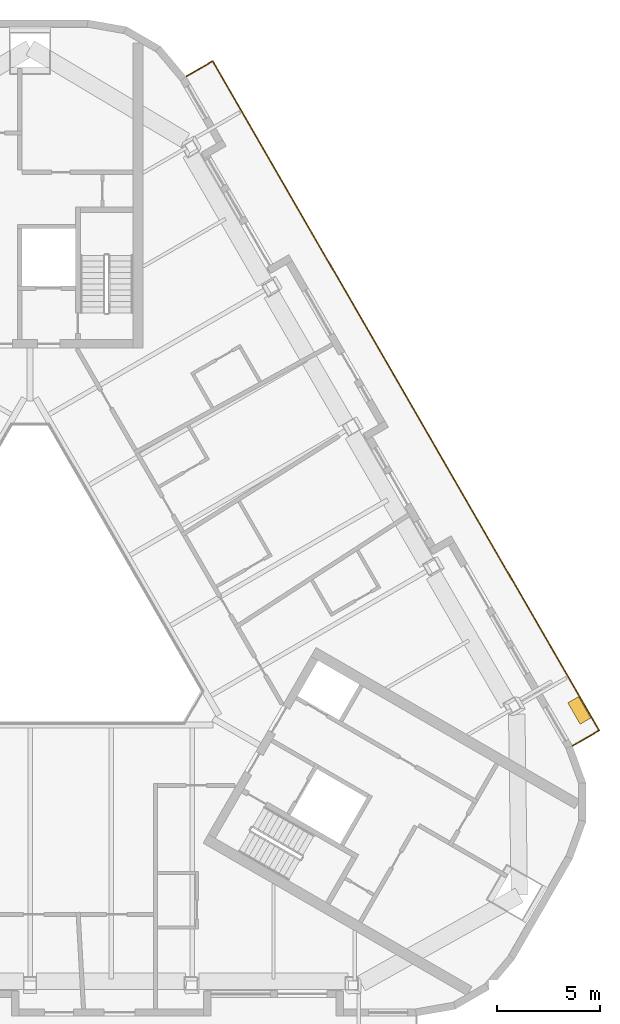
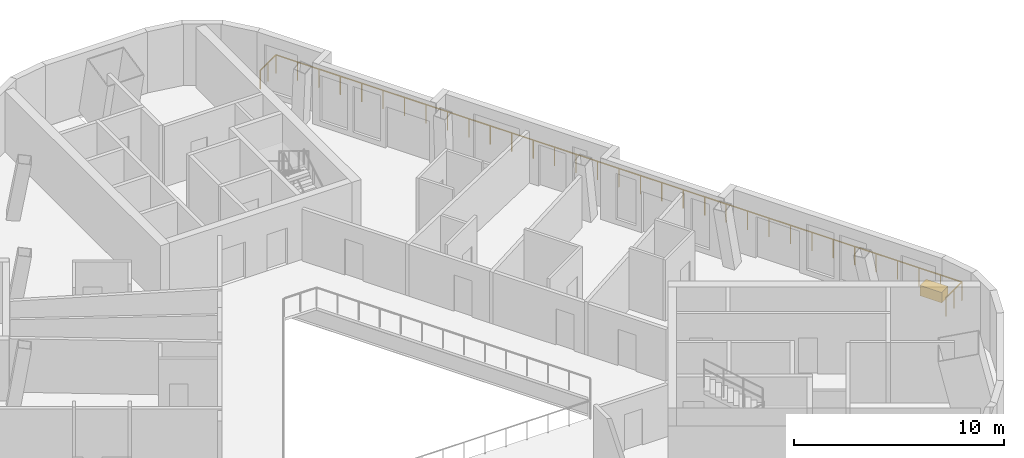
# One storey, part 13 of 14: 1 covering, 1 railing.
"""IFC4 building model written with IfcOpenShell, lengths in metres."""

from ifc_helpers import new_model, si_unit, direction, frame, origin, origin_2d, place, context, subcontext, project, spatial, rectangle, extrude, material, type_object, element, save


model = new_model("IFC4")

# Units and contexts
model_context = context("Model", 3, precision=1e-05, world=origin(), true_north=direction((0.0, 1.0)))
body_context = subcontext(model_context, "Body", "Model", "MODEL_VIEW")
ifc_project = project(units=[si_unit("LENGTHUNIT", "METRE"), si_unit("AREAUNIT", "SQUARE_METRE"), si_unit("VOLUMEUNIT", "CUBIC_METRE"), si_unit("PLANEANGLEUNIT", "RADIAN"), si_unit("MASSUNIT", "GRAM", prefix="KILO")], contexts=[model_context])

# Site, building, storey
site_placement = place(None, origin())
site = spatial("IfcSite", under=ifc_project, at=site_placement, CompositionType="ELEMENT")
building_placement = place(site_placement, origin())
building = spatial("IfcBuilding", under=site, at=building_placement, Name="Apuvela Tower Hotel", CompositionType="ELEMENT")
storey_placement = place(building_placement, frame((0.0, 0.0, 254.10009765625)))
storey = spatial("IfcBuildingStorey", under=building, at=storey_placement, Name="L62", CompositionType="ELEMENT", Elevation=254.10009765625)

# Railing
ifc_material_1 = material(Name="Stainless steel 316 rail with laminated glass infill", Category="steel")
railing_type = type_object("IfcRailingType", Name="ENV-GUARD-1100", PredefinedType="GUARDRAIL", material=ifc_material_1)
railing_placement = place(storey_placement, frame((26.407958984375, -6.47998046875, 0.0)))
element("IfcRailing", 1, at=railing_placement, inside=storey, type_object=railing_type, Name="Balcony guard NE L62", PredefinedType="GUARDRAIL", context=body_context, shape_type="SweptSolid", body=[
    extrude(rectangle(XDim=0.050048828125, YDim=0.050048828125, at=origin_2d()), frame((0.0, 0.0, 1.0751953125), z_axis=(0.866031096941, 0.499990139034, 0.0), x_axis=(-0.499990139034, 0.866031096941, 0.0)), (0.0, 0.0, 1.0), 1.5),
    extrude(rectangle(XDim=0.050048828125, YDim=0.050048828125, at=origin_2d()), frame((1.299072265625, 0.75, 1.0751953125), z_axis=(-0.500000437506, 0.86602515119, 0.0), x_axis=(-0.86602515119, -0.500000437506, 0.0)), (0.0, 0.0, 1.0), 37.6318359375),
    extrude(rectangle(XDim=0.050048828125, YDim=0.050048828125, at=origin_2d()), frame((-17.516845703125, 33.340087890625, 1.0751953125), z_axis=(-0.86599040064, -0.500060622324, 0.0), x_axis=(0.500060622324, -0.86599040064, 0.0)), (0.0, 0.0, 1.0), 1.499755859375),
    extrude(rectangle(XDim=0.0400390625, YDim=0.0400390625, at=origin_2d()), origin(), (0.0, 0.0, 1.0), 1.050048828125),
    extrude(rectangle(XDim=0.0400390625, YDim=0.0400390625, at=origin_2d()), frame((0.6494140625, 0.375, 0.0)), (0.0, 0.0, 1.0), 1.050048828125),
    extrude(rectangle(XDim=0.0400390625, YDim=0.0400390625, at=origin_2d()), frame((1.299072265625, 0.75, 0.0)), (0.0, 0.0, 1.0), 1.050048828125),
    extrude(rectangle(XDim=0.0400390625, YDim=0.0400390625, at=origin_2d()), frame((0.711181640625, 1.7685546875, 0.0)), (0.0, 0.0, 1.0), 1.050048828125),
    extrude(rectangle(XDim=0.0400390625, YDim=0.0400390625, at=origin_2d()), frame((0.123046875, 2.786865234375, 0.0)), (0.0, 0.0, 1.0), 1.050048828125),
    extrude(rectangle(XDim=0.0400390625, YDim=0.0400390625, at=origin_2d()), frame((-0.46484375, 3.805419921875, 0.0)), (0.0, 0.0, 1.0), 1.050048828125),
    extrude(rectangle(XDim=0.0400390625, YDim=0.0400390625, at=origin_2d()), frame((-1.052978515625, 4.82373046875, 0.0)), (0.0, 0.0, 1.0), 1.050048828125),
    extrude(rectangle(XDim=0.0400390625, YDim=0.0400390625, at=origin_2d()), frame((-1.640869140625, 5.84228515625, 0.0)), (0.0, 0.0, 1.0), 1.050048828125),
    extrude(rectangle(XDim=0.0400390625, YDim=0.0400390625, at=origin_2d()), frame((-2.22900390625, 6.860595703125, 0.0)), (0.0, 0.0, 1.0), 1.050048828125),
    extrude(rectangle(XDim=0.0400390625, YDim=0.0400390625, at=origin_2d()), frame((-2.81689453125, 7.879150390625, 0.0)), (0.0, 0.0, 1.0), 1.050048828125),
    extrude(rectangle(XDim=0.0400390625, YDim=0.0400390625, at=origin_2d()), frame((-3.40478515625, 8.8974609375, 0.0)), (0.0, 0.0, 1.0), 1.050048828125),
    extrude(rectangle(XDim=0.0400390625, YDim=0.0400390625, at=origin_2d()), frame((-3.992919921875, 9.916015625, 0.0)), (0.0, 0.0, 1.0), 1.050048828125),
    extrude(rectangle(XDim=0.0400390625, YDim=0.0400390625, at=origin_2d()), frame((-4.580810546875, 10.934326171875, 0.0)), (0.0, 0.0, 1.0), 1.050048828125),
    extrude(rectangle(XDim=0.0400390625, YDim=0.0400390625, at=origin_2d()), frame((-5.1689453125, 11.952880859375, 0.0)), (0.0, 0.0, 1.0), 1.050048828125),
    extrude(rectangle(XDim=0.0400390625, YDim=0.0400390625, at=origin_2d()), frame((-5.7568359375, 12.97119140625, 0.0)), (0.0, 0.0, 1.0), 1.050048828125),
    extrude(rectangle(XDim=0.0400390625, YDim=0.0400390625, at=origin_2d()), frame((-6.344970703125, 13.98974609375, 0.0)), (0.0, 0.0, 1.0), 1.050048828125),
    extrude(rectangle(XDim=0.0400390625, YDim=0.0400390625, at=origin_2d()), frame((-6.932861328125, 15.008056640625, 0.0)), (0.0, 0.0, 1.0), 1.050048828125),
    extrude(rectangle(XDim=0.0400390625, YDim=0.0400390625, at=origin_2d()), frame((-7.52099609375, 16.026611328125, 0.0)), (0.0, 0.0, 1.0), 1.050048828125),
    extrude(rectangle(XDim=0.0400390625, YDim=0.0400390625, at=origin_2d()), frame((-8.10888671875, 17.044921875, 0.0)), (0.0, 0.0, 1.0), 1.050048828125),
    extrude(rectangle(XDim=0.0400390625, YDim=0.0400390625, at=origin_2d()), frame((-8.69677734375, 18.0634765625, 0.0)), (0.0, 0.0, 1.0), 1.050048828125),
    extrude(rectangle(XDim=0.0400390625, YDim=0.0400390625, at=origin_2d()), frame((-9.284912109375, 19.08203125, 0.0)), (0.0, 0.0, 1.0), 1.050048828125),
    extrude(rectangle(XDim=0.0400390625, YDim=0.0400390625, at=origin_2d()), frame((-9.872802734375, 20.100341796875, 0.0)), (0.0, 0.0, 1.0), 1.050048828125),
    extrude(rectangle(XDim=0.0400390625, YDim=0.0400390625, at=origin_2d()), frame((-10.4609375, 21.118896484375, 0.0)), (0.0, 0.0, 1.0), 1.050048828125),
    extrude(rectangle(XDim=0.0400390625, YDim=0.0400390625, at=origin_2d()), frame((-11.048828125, 22.13720703125, 0.0)), (0.0, 0.0, 1.0), 1.050048828125),
    extrude(rectangle(XDim=0.0400390625, YDim=0.0400390625, at=origin_2d()), frame((-11.636962890625, 23.15576171875, 0.0)), (0.0, 0.0, 1.0), 1.050048828125),
    extrude(rectangle(XDim=0.0400390625, YDim=0.0400390625, at=origin_2d()), frame((-12.224853515625, 24.174072265625, 0.0)), (0.0, 0.0, 1.0), 1.050048828125),
    extrude(rectangle(XDim=0.0400390625, YDim=0.0400390625, at=origin_2d()), frame((-12.81298828125, 25.192626953125, 0.0)), (0.0, 0.0, 1.0), 1.050048828125),
    extrude(rectangle(XDim=0.0400390625, YDim=0.0400390625, at=origin_2d()), frame((-13.40087890625, 26.2109375, 0.0)), (0.0, 0.0, 1.0), 1.050048828125),
    extrude(rectangle(XDim=0.0400390625, YDim=0.0400390625, at=origin_2d()), frame((-13.98876953125, 27.2294921875, 0.0)), (0.0, 0.0, 1.0), 1.050048828125),
    extrude(rectangle(XDim=0.0400390625, YDim=0.0400390625, at=origin_2d()), frame((-14.576904296875, 28.247802734375, 0.0)), (0.0, 0.0, 1.0), 1.050048828125),
    extrude(rectangle(XDim=0.0400390625, YDim=0.0400390625, at=origin_2d()), frame((-15.164794921875, 29.266357421875, 0.0)), (0.0, 0.0, 1.0), 1.050048828125),
    extrude(rectangle(XDim=0.0400390625, YDim=0.0400390625, at=origin_2d()), frame((-15.7529296875, 30.28466796875, 0.0)), (0.0, 0.0, 1.0), 1.050048828125),
    extrude(rectangle(XDim=0.0400390625, YDim=0.0400390625, at=origin_2d()), frame((-16.3408203125, 31.30322265625, 0.0)), (0.0, 0.0, 1.0), 1.050048828125),
    extrude(rectangle(XDim=0.0400390625, YDim=0.0400390625, at=origin_2d()), frame((-16.928955078125, 32.321533203125, 0.0)), (0.0, 0.0, 1.0), 1.050048828125),
    extrude(rectangle(XDim=0.0400390625, YDim=0.0400390625, at=origin_2d()), frame((-17.516845703125, 33.340087890625, 0.0)), (0.0, 0.0, 1.0), 1.050048828125),
    extrude(rectangle(XDim=0.0400390625, YDim=0.0400390625, at=origin_2d()), frame((-18.166259765625, 32.965087890625, 0.0)), (0.0, 0.0, 1.0), 1.050048828125),
    extrude(rectangle(XDim=0.0400390625, YDim=0.0400390625, at=origin_2d()), frame((-18.815673828125, 32.590087890625, 0.0)), (0.0, 0.0, 1.0), 1.050048828125),
])

# Covering
ifc_material_2 = material(Name="Planting substrate and soil, planted")
covering_type = type_object("IfcCoveringType", Name="ENV-PLANTER-1200x600", PredefinedType="USERDEFINED", material=ifc_material_2)
covering_placement = place(storey_placement, frame((26.739013671875, -4.753173828125, -0.000244140625), z_axis=(0.0, 0.0, 1.0), x_axis=(-0.5, 0.866025403784, 0.0)))
element("IfcCovering", 2, at=covering_placement, inside=storey, type_object=covering_type, Name="Planter NE3", ObjectType="PLANTER", PredefinedType="USERDEFINED", context=body_context, shape_type="SweptSolid", body=[
    extrude(rectangle(XDim=1.199951171875, YDim=0.60009765625, at=origin_2d()), origin(), (0.0, 0.0, 1.0), 0.60009765625),
])

save(model, "model.ifc")
